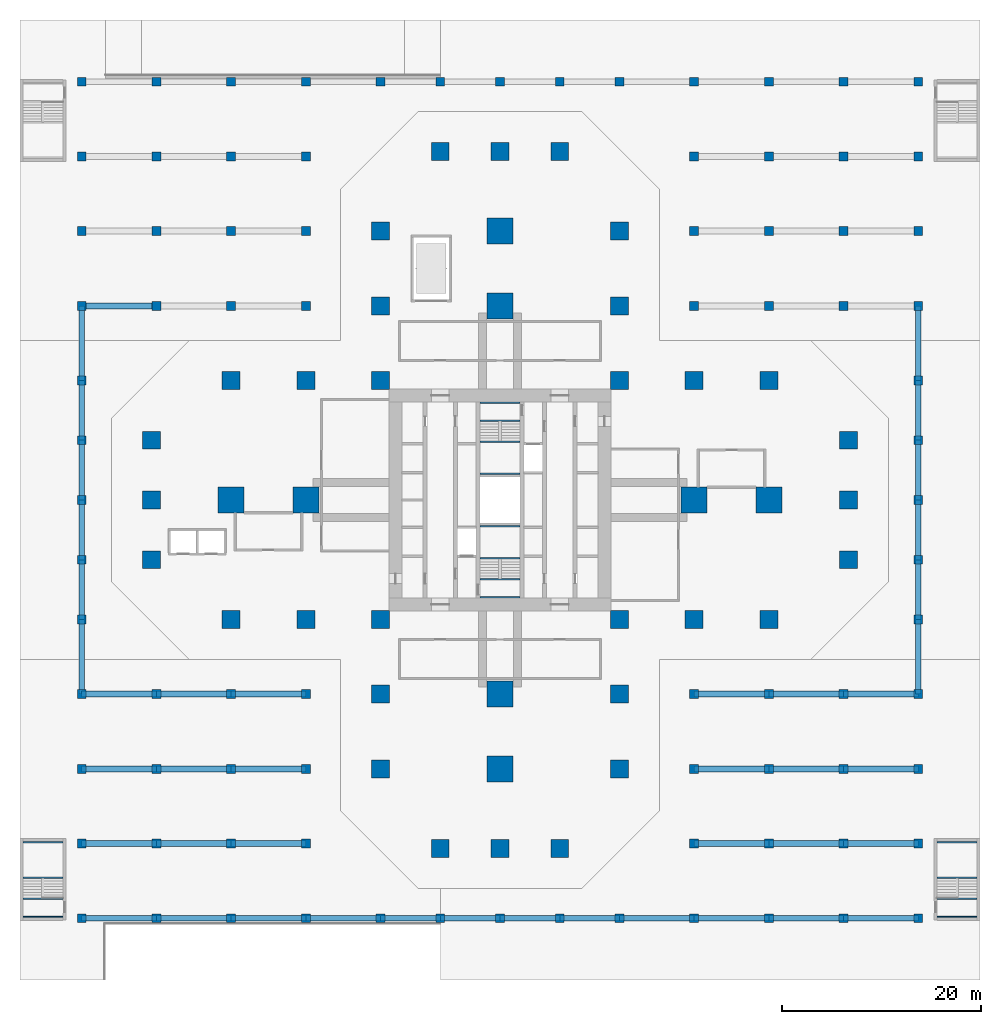
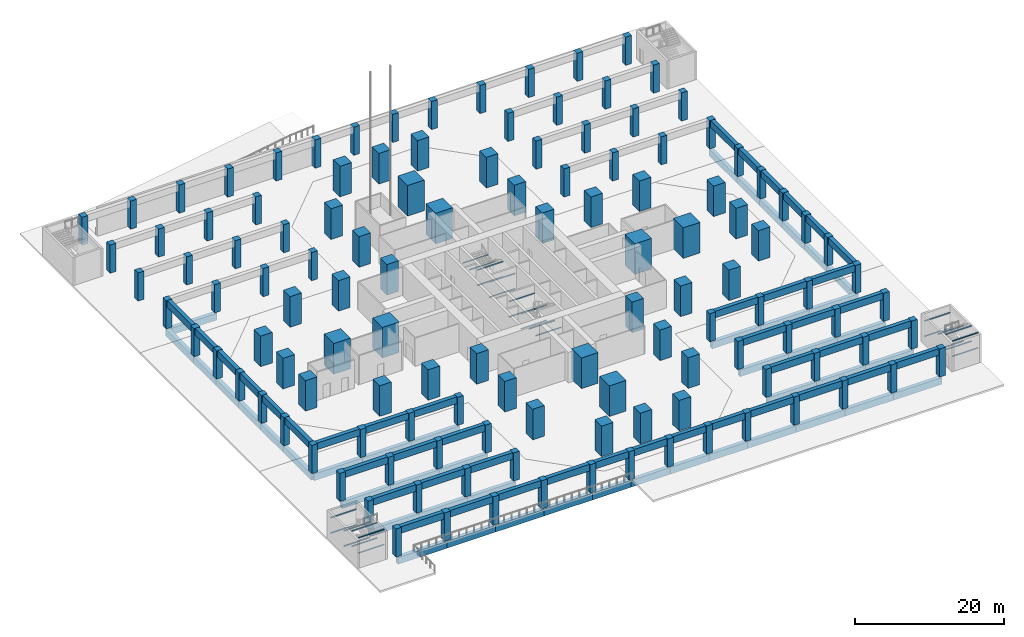
# One storey, part 1 of 20: 124 columns, 113 beams.
"""IFC4 building model written with IfcOpenShell, lengths in metres."""

from ifc_helpers import new_model, si_unit, direction, frame, origin, origin_2d, place, context, subcontext, project, spatial, rectangle, hollow_rectangle, extrude, material, material_profile, profile_set, type_object, element, save


model = new_model("IFC4")

# Units and contexts
model_context = context("Model", 3, precision=1e-05, world=origin(), true_north=direction((0.0, 1.0)))
body_context = subcontext(model_context, "Body", "Model", "MODEL_VIEW")
ifc_project = project(units=[si_unit("LENGTHUNIT", "METRE"), si_unit("AREAUNIT", "SQUARE_METRE"), si_unit("VOLUMEUNIT", "CUBIC_METRE"), si_unit("PLANEANGLEUNIT", "RADIAN"), si_unit("MASSUNIT", "GRAM", prefix="KILO")], contexts=[model_context])

# Site, building, storey
site_placement = place(None, origin())
site = spatial("IfcSite", under=ifc_project, at=site_placement, CompositionType="ELEMENT")
building_placement = place(site_placement, origin())
building = spatial("IfcBuilding", under=site, at=building_placement, Name="Mizan Broadcast Tower", CompositionType="ELEMENT")
storey_placement = place(building_placement, frame((0.0, 0.0, -5.0)))
storey = spatial("IfcBuildingStorey", under=building, at=storey_placement, Name="B1", CompositionType="ELEMENT", Elevation=-5.0)

# Columns
ifc_material_1 = material(Name="Concrete C70/85", Category="concrete")
ifc_material_profile_1 = material_profile(ifc_material_1, rectangle(XDim=1.800048828125, YDim=1.800048828125, at=origin_2d()), Name="RC 1800x1800")
ifc_profile_set_1 = profile_set([ifc_material_profile_1], Name="Concrete C70/85")
column_type_1 = type_object("IfcColumnType", Name="RC COLUMN 1800x1800 C70/85", PredefinedType="COLUMN", material=ifc_profile_set_1)
for number, where, z_axis, x_axis, name in (
    (1, (-6.0, -35.0, 0.0), (0.0, 0.0, 1.0), (1.0, 0.0, 0.0), "Column 5/A B1"),
    (2, (0.0, -35.0, 0.0), (0.0, 0.0, 1.0), (1.0, 0.0, 0.0), "Column 6/A B1"),
    (3, (6.0, -35.0, 0.0), (0.0, 0.0, 1.0), (1.0, 0.0, 0.0), "Column 7/A B1"),
    (4, (-12.0, -27.0, 0.0), (0.0, 0.0, 1.0), (1.0, 0.0, 0.0), "Column 4/B B1"),
    (5, (12.0, -27.0, 0.0), (0.0, 0.0, 1.0), (1.0, 0.0, 0.0), "Column 8/B B1"),
    (6, (-12.0, -19.5, 0.0), (0.0, 0.0, 1.0), (1.0, 0.0, 0.0), "Column 4/C B1"),
    (7, (12.0, -19.5, 0.0), (0.0, 0.0, 1.0), (1.0, 0.0, 0.0), "Column 8/C B1"),
    (8, (-27.0, -12.0, 0.0), (0.0, 0.0, 1.0), (1.0, 0.0, 0.0), "Column 2/D B1"),
    (9, (-19.5, -12.0, 0.0), (0.0, 0.0, 1.0), (1.0, 0.0, 0.0), "Column 3/D B1"),
    (10, (-12.0, -12.0, 0.0), (0.0, 0.0, 1.0), (1.0, 0.0, 0.0), "Column 4/D B1"),
    (11, (12.0, -12.0, 0.0), (0.0, 0.0, 1.0), (1.0, 0.0, 0.0), "Column 8/D B1"),
    (12, (19.5, -12.0, 0.0), (0.0, 0.0, 1.0), (1.0, 0.0, 0.0), "Column 9/D B1"),
    (13, (27.0, -12.0, 0.0), (0.0, 0.0, 1.0), (1.0, 0.0, 0.0), "Column 10/D B1"),
    (14, (-35.0, -6.0, 0.0), (0.0, 0.0, 1.0), (1.0, 0.0, 0.0), "Column 1/E B1"),
    (15, (35.0, -6.0, 0.0), (0.0, 0.0, 1.0), (1.0, 0.0, 0.0), "Column 11/E B1"),
    (16, (-35.0, 0.0, 0.0), (0.0, 0.0, 1.0), (1.0, 0.0, 0.0), "Column 1/F B1"),
    (17, (35.0, 0.0, 0.0), (0.0, 0.0, 1.0), (1.0, 0.0, 0.0), "Column 11/F B1"),
    (18, (-35.0, 6.0, 0.0), (0.0, 0.0, 1.0), (1.0, 0.0, 0.0), "Column 1/G B1"),
    (19, (35.0, 6.0, 0.0), (0.0, 0.0, 1.0), (1.0, 0.0, 0.0), "Column 11/G B1"),
    (20, (-27.0, 12.0, 0.0), (0.0, 0.0, 1.0), (1.0, 0.0, 0.0), "Column 2/H B1"),
    (21, (-19.5, 12.0, 0.0), (0.0, 0.0, 1.0), (1.0, 0.0, 0.0), "Column 3/H B1"),
    (22, (-12.0, 12.0, 0.0), (0.0, 0.0, 1.0), (1.0, 0.0, 0.0), "Column 4/H B1"),
    (23, (12.0, 12.0, 0.0), (0.0, 0.0, 1.0), (1.0, 0.0, 0.0), "Column 8/H B1"),
    (24, (19.5, 12.0, 0.0), (0.0, 0.0, 1.0), (1.0, 0.0, 0.0), "Column 9/H B1"),
    (25, (27.0, 12.0, 0.0), (0.0, 0.0, 1.0), (1.0, 0.0, 0.0), "Column 10/H B1"),
    (26, (-12.0, 19.5, 0.0), (0.0, 0.0, 1.0), (1.0, 0.0, 0.0), "Column 4/J B1"),
    (27, (12.0, 19.5, 0.0), (0.0, 0.0, 1.0), (1.0, 0.0, 0.0), "Column 8/J B1"),
    (28, (-12.0, 27.0, 0.0), (0.0, 0.0, 1.0), (1.0, 0.0, 0.0), "Column 4/K B1"),
    (29, (12.0, 27.0, 0.0), (0.0, 0.0, 1.0), (1.0, 0.0, 0.0), "Column 8/K B1"),
    (30, (-6.0, 35.0, 0.0), (0.0, 0.0, 1.0), (1.0, 0.0, 0.0), "Column 5/L B1"),
    (31, (0.0, 35.0, 0.0), (0.0, 0.0, 1.0), (1.0, 0.0, 0.0), "Column 6/L B1"),
    (32, (6.0, 35.0, 0.0), (0.0, 0.0, 1.0), (1.0, 0.0, 0.0), "Column 7/L B1"),
):
    element("IfcColumn", number, at=place(storey_placement, frame(where, z_axis=z_axis, x_axis=x_axis)), inside=storey, type_object=column_type_1, Name=name, PredefinedType="COLUMN", context=body_context, shape_type="SweptSolid", body=[
        extrude(rectangle(XDim=1.800048828125, YDim=1.800048828125, at=origin_2d()), origin(), (0.0, 0.0, 1.0), 5.0),
    ])
ifc_material_2 = material(Name="Concrete C70/85", Category="concrete")
ifc_material_profile_2 = material_profile(ifc_material_2, rectangle(XDim=2.60009765625, YDim=2.60009765625, at=origin_2d()), Name="RC 2600x2600")
ifc_profile_set_2 = profile_set([ifc_material_profile_2], Name="Concrete C70/85")
column_type_2 = type_object("IfcColumnType", Name="RC COLUMN 2600x2600 C70/85", PredefinedType="COLUMN", material=ifc_profile_set_2)
for number, where, z_axis, x_axis, name in (
    (33, (0.0, -27.0, 0.0), (0.0, 0.0, 1.0), (1.0, 0.0, 0.0), "Column 6/B B1"),
    (34, (0.0, -19.5, 0.0), (0.0, 0.0, 1.0), (1.0, 0.0, 0.0), "Column 6/C B1"),
    (35, (-27.0, 0.0, 0.0), (0.0, 0.0, 1.0), (1.0, 0.0, 0.0), "Column 2/F B1"),
    (36, (-19.5, 0.0, 0.0), (0.0, 0.0, 1.0), (1.0, 0.0, 0.0), "Column 3/F B1"),
    (37, (19.5, 0.0, 0.0), (0.0, 0.0, 1.0), (1.0, 0.0, 0.0), "Column 9/F B1"),
    (38, (27.0, 0.0, 0.0), (0.0, 0.0, 1.0), (1.0, 0.0, 0.0), "Column 10/F B1"),
    (39, (0.0, 19.5, 0.0), (0.0, 0.0, 1.0), (1.0, 0.0, 0.0), "Column 6/J B1"),
    (40, (0.0, 27.0, 0.0), (0.0, 0.0, 1.0), (1.0, 0.0, 0.0), "Column 6/K B1"),
):
    element("IfcColumn", number, at=place(storey_placement, frame(where, z_axis=z_axis, x_axis=x_axis)), inside=storey, type_object=column_type_2, Name=name, PredefinedType="COLUMN", context=body_context, shape_type="SweptSolid", body=[
        extrude(rectangle(XDim=2.60009765625, YDim=2.60009765625, at=origin_2d()), origin(), (0.0, 0.0, 1.0), 5.0),
    ])
ifc_material_3 = material(Name="Concrete C70/85", Category="concrete")
ifc_material_profile_3 = material_profile(ifc_material_3, rectangle(XDim=0.89990234375, YDim=0.89990234375, at=origin_2d()), Name="RC 900x900")
ifc_profile_set_3 = profile_set([ifc_material_profile_3], Name="Concrete C70/85")
column_type_3 = type_object("IfcColumnType", Name="RC COLUMN 900x900 C70/85", PredefinedType="COLUMN", material=ifc_profile_set_3)
for number, where, z_axis, x_axis, name in (
    (41, (-42.0, -42.0, 0.0), (0.0, 0.0, 1.0), (1.0, 0.0, 0.0), "Basement column at -42, -42"),
    (42, (-34.5, -42.0, 0.0), (0.0, 0.0, 1.0), (1.0, 0.0, 0.0), "Basement column at -34.5, -42"),
    (43, (-27.0, -42.0, 0.0), (0.0, 0.0, 1.0), (1.0, 0.0, 0.0), "Basement column at -27, -42"),
    (44, (-19.5, -42.0, 0.0), (0.0, 0.0, 1.0), (1.0, 0.0, 0.0), "Basement column at -19.5, -42"),
    (45, (-12.0, -42.0, 0.0), (0.0, 0.0, 1.0), (1.0, 0.0, 0.0), "Basement column at -12, -42"),
    (46, (-6.0, -42.0, 0.0), (0.0, 0.0, 1.0), (1.0, 0.0, 0.0), "Basement column at -6, -42"),
    (47, (0.0, -42.0, 0.0), (0.0, 0.0, 1.0), (1.0, 0.0, 0.0), "Basement column at 0, -42"),
    (48, (6.0, -42.0, 0.0), (0.0, 0.0, 1.0), (1.0, 0.0, 0.0), "Basement column at 6, -42"),
    (49, (12.0, -42.0, 0.0), (0.0, 0.0, 1.0), (1.0, 0.0, 0.0), "Basement column at 12, -42"),
    (50, (19.5, -42.0, 0.0), (0.0, 0.0, 1.0), (1.0, 0.0, 0.0), "Basement column at 19.5, -42"),
    (51, (27.0, -42.0, 0.0), (0.0, 0.0, 1.0), (1.0, 0.0, 0.0), "Basement column at 27, -42"),
    (52, (34.5, -42.0, 0.0), (0.0, 0.0, 1.0), (1.0, 0.0, 0.0), "Basement column at 34.5, -42"),
    (53, (42.0, -42.0, 0.0), (0.0, 0.0, 1.0), (1.0, 0.0, 0.0), "Basement column at 42, -42"),
    (54, (-42.0, -34.5, 0.0), (0.0, 0.0, 1.0), (1.0, 0.0, 0.0), "Basement column at -42, -34.5"),
    (55, (-34.5, -34.5, 0.0), (0.0, 0.0, 1.0), (1.0, 0.0, 0.0), "Basement column at -34.5, -34.5"),
    (56, (-27.0, -34.5, 0.0), (0.0, 0.0, 1.0), (1.0, 0.0, 0.0), "Basement column at -27, -34.5"),
    (57, (-19.5, -34.5, 0.0), (0.0, 0.0, 1.0), (1.0, 0.0, 0.0), "Basement column at -19.5, -34.5"),
    (58, (19.5, -34.5, 0.0), (0.0, 0.0, 1.0), (1.0, 0.0, 0.0), "Basement column at 19.5, -34.5"),
    (59, (27.0, -34.5, 0.0), (0.0, 0.0, 1.0), (1.0, 0.0, 0.0), "Basement column at 27, -34.5"),
    (60, (34.5, -34.5, 0.0), (0.0, 0.0, 1.0), (1.0, 0.0, 0.0), "Basement column at 34.5, -34.5"),
    (61, (42.0, -34.5, 0.0), (0.0, 0.0, 1.0), (1.0, 0.0, 0.0), "Basement column at 42, -34.5"),
    (62, (-42.0, -27.0, 0.0), (0.0, 0.0, 1.0), (1.0, 0.0, 0.0), "Basement column at -42, -27"),
    (63, (-34.5, -27.0, 0.0), (0.0, 0.0, 1.0), (1.0, 0.0, 0.0), "Basement column at -34.5, -27"),
    (64, (-27.0, -27.0, 0.0), (0.0, 0.0, 1.0), (1.0, 0.0, 0.0), "Basement column at -27, -27"),
    (65, (-19.5, -27.0, 0.0), (0.0, 0.0, 1.0), (1.0, 0.0, 0.0), "Basement column at -19.5, -27"),
    (66, (19.5, -27.0, 0.0), (0.0, 0.0, 1.0), (1.0, 0.0, 0.0), "Basement column at 19.5, -27"),
    (67, (27.0, -27.0, 0.0), (0.0, 0.0, 1.0), (1.0, 0.0, 0.0), "Basement column at 27, -27"),
    (68, (34.5, -27.0, 0.0), (0.0, 0.0, 1.0), (1.0, 0.0, 0.0), "Basement column at 34.5, -27"),
    (69, (42.0, -27.0, 0.0), (0.0, 0.0, 1.0), (1.0, 0.0, 0.0), "Basement column at 42, -27"),
    (70, (-42.0, -19.5, 0.0), (0.0, 0.0, 1.0), (1.0, 0.0, 0.0), "Basement column at -42, -19.5"),
    (71, (-34.5, -19.5, 0.0), (0.0, 0.0, 1.0), (1.0, 0.0, 0.0), "Basement column at -34.5, -19.5"),
    (72, (-27.0, -19.5, 0.0), (0.0, 0.0, 1.0), (1.0, 0.0, 0.0), "Basement column at -27, -19.5"),
    (73, (-19.5, -19.5, 0.0), (0.0, 0.0, 1.0), (1.0, 0.0, 0.0), "Basement column at -19.5, -19.5"),
    (74, (19.5, -19.5, 0.0), (0.0, 0.0, 1.0), (1.0, 0.0, 0.0), "Basement column at 19.5, -19.5"),
    (75, (27.0, -19.5, 0.0), (0.0, 0.0, 1.0), (1.0, 0.0, 0.0), "Basement column at 27, -19.5"),
    (76, (34.5, -19.5, 0.0), (0.0, 0.0, 1.0), (1.0, 0.0, 0.0), "Basement column at 34.5, -19.5"),
    (77, (42.0, -19.5, 0.0), (0.0, 0.0, 1.0), (1.0, 0.0, 0.0), "Basement column at 42, -19.5"),
    (78, (-42.0, -12.0, 0.0), (0.0, 0.0, 1.0), (1.0, 0.0, 0.0), "Basement column at -42, -12"),
    (79, (42.0, -12.0, 0.0), (0.0, 0.0, 1.0), (1.0, 0.0, 0.0), "Basement column at 42, -12"),
    (80, (-42.0, -6.0, 0.0), (0.0, 0.0, 1.0), (1.0, 0.0, 0.0), "Basement column at -42, -6"),
    (81, (42.0, -6.0, 0.0), (0.0, 0.0, 1.0), (1.0, 0.0, 0.0), "Basement column at 42, -6"),
    (82, (-42.0, 0.0, 0.0), (0.0, 0.0, 1.0), (1.0, 0.0, 0.0), "Basement column at -42, 0"),
    (83, (42.0, 0.0, 0.0), (0.0, 0.0, 1.0), (1.0, 0.0, 0.0), "Basement column at 42, 0"),
    (84, (-42.0, 6.0, 0.0), (0.0, 0.0, 1.0), (1.0, 0.0, 0.0), "Basement column at -42, 6"),
    (85, (42.0, 6.0, 0.0), (0.0, 0.0, 1.0), (1.0, 0.0, 0.0), "Basement column at 42, 6"),
    (86, (-42.0, 12.0, 0.0), (0.0, 0.0, 1.0), (1.0, 0.0, 0.0), "Basement column at -42, 12"),
    (87, (42.0, 12.0, 0.0), (0.0, 0.0, 1.0), (1.0, 0.0, 0.0), "Basement column at 42, 12"),
    (88, (-42.0, 19.5, 0.0), (0.0, 0.0, 1.0), (1.0, 0.0, 0.0), "Basement column at -42, 19.5"),
    (89, (-34.5, 19.5, 0.0), (0.0, 0.0, 1.0), (1.0, 0.0, 0.0), "Basement column at -34.5, 19.5"),
    (90, (-27.0, 19.5, 0.0), (0.0, 0.0, 1.0), (1.0, 0.0, 0.0), "Basement column at -27, 19.5"),
    (91, (-19.5, 19.5, 0.0), (0.0, 0.0, 1.0), (1.0, 0.0, 0.0), "Basement column at -19.5, 19.5"),
    (92, (19.5, 19.5, 0.0), (0.0, 0.0, 1.0), (1.0, 0.0, 0.0), "Basement column at 19.5, 19.5"),
    (93, (27.0, 19.5, 0.0), (0.0, 0.0, 1.0), (1.0, 0.0, 0.0), "Basement column at 27, 19.5"),
    (94, (34.5, 19.5, 0.0), (0.0, 0.0, 1.0), (1.0, 0.0, 0.0), "Basement column at 34.5, 19.5"),
    (95, (42.0, 19.5, 0.0), (0.0, 0.0, 1.0), (1.0, 0.0, 0.0), "Basement column at 42, 19.5"),
    (96, (-42.0, 27.0, 0.0), (0.0, 0.0, 1.0), (1.0, 0.0, 0.0), "Basement column at -42, 27"),
    (97, (-34.5, 27.0, 0.0), (0.0, 0.0, 1.0), (1.0, 0.0, 0.0), "Basement column at -34.5, 27"),
    (98, (-27.0, 27.0, 0.0), (0.0, 0.0, 1.0), (1.0, 0.0, 0.0), "Basement column at -27, 27"),
    (99, (-19.5, 27.0, 0.0), (0.0, 0.0, 1.0), (1.0, 0.0, 0.0), "Basement column at -19.5, 27"),
    (100, (19.5, 27.0, 0.0), (0.0, 0.0, 1.0), (1.0, 0.0, 0.0), "Basement column at 19.5, 27"),
    (101, (27.0, 27.0, 0.0), (0.0, 0.0, 1.0), (1.0, 0.0, 0.0), "Basement column at 27, 27"),
    (102, (34.5, 27.0, 0.0), (0.0, 0.0, 1.0), (1.0, 0.0, 0.0), "Basement column at 34.5, 27"),
    (103, (42.0, 27.0, 0.0), (0.0, 0.0, 1.0), (1.0, 0.0, 0.0), "Basement column at 42, 27"),
    (104, (-42.0, 34.5, 0.0), (0.0, 0.0, 1.0), (1.0, 0.0, 0.0), "Basement column at -42, 34.5"),
    (105, (-34.5, 34.5, 0.0), (0.0, 0.0, 1.0), (1.0, 0.0, 0.0), "Basement column at -34.5, 34.5"),
    (106, (-27.0, 34.5, 0.0), (0.0, 0.0, 1.0), (1.0, 0.0, 0.0), "Basement column at -27, 34.5"),
    (107, (-19.5, 34.5, 0.0), (0.0, 0.0, 1.0), (1.0, 0.0, 0.0), "Basement column at -19.5, 34.5"),
    (108, (19.5, 34.5, 0.0), (0.0, 0.0, 1.0), (1.0, 0.0, 0.0), "Basement column at 19.5, 34.5"),
    (109, (27.0, 34.5, 0.0), (0.0, 0.0, 1.0), (1.0, 0.0, 0.0), "Basement column at 27, 34.5"),
    (110, (34.5, 34.5, 0.0), (0.0, 0.0, 1.0), (1.0, 0.0, 0.0), "Basement column at 34.5, 34.5"),
    (111, (42.0, 34.5, 0.0), (0.0, 0.0, 1.0), (1.0, 0.0, 0.0), "Basement column at 42, 34.5"),
    (112, (-42.0, 42.0, 0.0), (0.0, 0.0, 1.0), (1.0, 0.0, 0.0), "Basement column at -42, 42"),
    (113, (-34.5, 42.0, 0.0), (0.0, 0.0, 1.0), (1.0, 0.0, 0.0), "Basement column at -34.5, 42"),
    (114, (-27.0, 42.0, 0.0), (0.0, 0.0, 1.0), (1.0, 0.0, 0.0), "Basement column at -27, 42"),
    (115, (-19.5, 42.0, 0.0), (0.0, 0.0, 1.0), (1.0, 0.0, 0.0), "Basement column at -19.5, 42"),
    (116, (-12.0, 42.0, 0.0), (0.0, 0.0, 1.0), (1.0, 0.0, 0.0), "Basement column at -12, 42"),
    (117, (-6.0, 42.0, 0.0), (0.0, 0.0, 1.0), (1.0, 0.0, 0.0), "Basement column at -6, 42"),
    (118, (0.0, 42.0, 0.0), (0.0, 0.0, 1.0), (1.0, 0.0, 0.0), "Basement column at 0, 42"),
    (119, (6.0, 42.0, 0.0), (0.0, 0.0, 1.0), (1.0, 0.0, 0.0), "Basement column at 6, 42"),
    (120, (12.0, 42.0, 0.0), (0.0, 0.0, 1.0), (1.0, 0.0, 0.0), "Basement column at 12, 42"),
    (121, (19.5, 42.0, 0.0), (0.0, 0.0, 1.0), (1.0, 0.0, 0.0), "Basement column at 19.5, 42"),
    (122, (27.0, 42.0, 0.0), (0.0, 0.0, 1.0), (1.0, 0.0, 0.0), "Basement column at 27, 42"),
    (123, (34.5, 42.0, 0.0), (0.0, 0.0, 1.0), (1.0, 0.0, 0.0), "Basement column at 34.5, 42"),
    (124, (42.0, 42.0, 0.0), (0.0, 0.0, 1.0), (1.0, 0.0, 0.0), "Basement column at 42, 42"),
):
    element("IfcColumn", number, at=place(storey_placement, frame(where, z_axis=z_axis, x_axis=x_axis)), inside=storey, type_object=column_type_3, Name=name, PredefinedType="COLUMN", context=body_context, shape_type="SweptSolid", body=[
        extrude(rectangle(XDim=0.89990234375, YDim=0.89990234375, at=origin_2d()), origin(), (0.0, 0.0, 1.0), 4.60009765625),
    ])

# Beams
ifc_material_4 = material(Name="Steel S355", Category="steel")
ifc_material_profile_4 = material_profile(ifc_material_4, hollow_rectangle(XDim=0.14990234375, YDim=0.14990234375, WallThickness=0.008056640625, InnerFilletRadius=0.008056640625, OuterFilletRadius=0.011962890625, at=origin_2d()), Name="SHS 150x150x8")
ifc_profile_set_4 = profile_set([ifc_material_profile_4], Name="Steel S355")
beam_type_1 = type_object("IfcBeamType", Name="LANDING TRIMMER SHS 150x150x8", PredefinedType="BEAM", material=ifc_profile_set_4)
for number, where, z_axis, x_axis, name in (
    (125, (-2.0, -5.864990234375, 0.97509765625), (1.0, 0.0, 0.0), (0.0, 1.0, 0.0), "Stair A landing trimmer B1"),
    (126, (-2.0, -2.64990234375, 0.97509765625), (1.0, 0.0, 0.0), (0.0, 1.0, 0.0), "Stair A landing trimmer B1"),
    (127, (-2.0, -9.77490234375, 2.22509765625), (1.0, 0.0, 0.0), (0.0, 1.0, 0.0), "Stair A landing trimmer B1"),
    (128, (-2.0, -7.97509765625, 2.22509765625), (1.0, 0.0, 0.0), (0.0, 1.0, 0.0), "Stair A landing trimmer B1"),
    (129, (-2.0, -5.864990234375, 3.47509765625), (1.0, 0.0, 0.0), (0.0, 1.0, 0.0), "Stair A landing trimmer B1"),
    (130, (-2.0, -2.64990234375, 3.47509765625), (1.0, 0.0, 0.0), (0.0, 1.0, 0.0), "Stair A landing trimmer B1"),
    (131, (2.0, 5.864990234375, 0.97509765625), (-1.0, 0.0, 0.0), (0.0, -1.0, 0.0), "Stair B landing trimmer B1"),
    (132, (2.0, 2.64990234375, 0.97509765625), (-1.0, 0.0, 0.0), (0.0, -1.0, 0.0), "Stair B landing trimmer B1"),
    (133, (2.0, 9.77490234375, 2.22509765625), (-1.0, 0.0, 0.0), (0.0, -1.0, 0.0), "Stair B landing trimmer B1"),
    (134, (2.0, 7.97509765625, 2.22509765625), (-1.0, 0.0, 0.0), (0.0, -1.0, 0.0), "Stair B landing trimmer B1"),
    (135, (2.0, 5.864990234375, 3.47509765625), (-1.0, 0.0, 0.0), (0.0, -1.0, 0.0), "Stair B landing trimmer B1"),
    (136, (2.0, 2.64990234375, 3.47509765625), (-1.0, 0.0, 0.0), (0.0, -1.0, 0.0), "Stair B landing trimmer B1"),
    (137, (-43.89990234375, -37.9150390625, 0.97509765625), (-1.0, 0.0, 0.0), (0.0, -1.0, 0.0), "Stair G landing trimmer B1"),
    (138, (-43.89990234375, -34.375, 0.97509765625), (-1.0, 0.0, 0.0), (0.0, -1.0, 0.0), "Stair G landing trimmer B1"),
    (139, (-43.89990234375, -41.824951171875, 2.22509765625), (-1.0, 0.0, 0.0), (0.0, -1.0, 0.0), "Stair G landing trimmer B1"),
    (140, (-43.89990234375, -40.02490234375, 2.22509765625), (-1.0, 0.0, 0.0), (0.0, -1.0, 0.0), "Stair G landing trimmer B1"),
    (141, (-43.89990234375, -37.9150390625, 3.47509765625), (-1.0, 0.0, 0.0), (0.0, -1.0, 0.0), "Stair G landing trimmer B1"),
    (142, (-43.89990234375, -34.375, 3.47509765625), (-1.0, 0.0, 0.0), (0.0, -1.0, 0.0), "Stair G landing trimmer B1"),
    (143, (-43.89990234375, -41.824951171875, 4.72509765625), (-1.0, 0.0, 0.0), (0.0, -1.0, 0.0), "Stair G landing trimmer B1"),
    (144, (-43.89990234375, -40.02490234375, 4.72509765625), (-1.0, 0.0, 0.0), (0.0, -1.0, 0.0), "Stair G landing trimmer B1"),
    (145, (43.89990234375, -37.9150390625, 0.97509765625), (1.0, 0.0, 0.0), (0.0, 1.0, 0.0), "Stair H landing trimmer B1"),
    (146, (43.89990234375, -34.375, 0.97509765625), (1.0, 0.0, 0.0), (0.0, 1.0, 0.0), "Stair H landing trimmer B1"),
    (147, (43.89990234375, -41.824951171875, 2.22509765625), (1.0, 0.0, 0.0), (0.0, 1.0, 0.0), "Stair H landing trimmer B1"),
    (148, (43.89990234375, -40.02490234375, 2.22509765625), (1.0, 0.0, 0.0), (0.0, 1.0, 0.0), "Stair H landing trimmer B1"),
    (149, (43.89990234375, -37.9150390625, 3.47509765625), (1.0, 0.0, 0.0), (0.0, 1.0, 0.0), "Stair H landing trimmer B1"),
    (150, (43.89990234375, -34.375, 3.47509765625), (1.0, 0.0, 0.0), (0.0, 1.0, 0.0), "Stair H landing trimmer B1"),
    (151, (43.89990234375, -41.824951171875, 4.72509765625), (1.0, 0.0, 0.0), (0.0, 1.0, 0.0), "Stair H landing trimmer B1"),
    (152, (43.89990234375, -40.02490234375, 4.72509765625), (1.0, 0.0, 0.0), (0.0, 1.0, 0.0), "Stair H landing trimmer B1"),
):
    element("IfcBeam", number, at=place(storey_placement, frame(where, z_axis=z_axis, x_axis=x_axis)), inside=storey, type_object=beam_type_1, Name=name, PredefinedType="BEAM", context=body_context, shape_type="SweptSolid", body=[
        extrude(hollow_rectangle(XDim=0.14990234375, YDim=0.14990234375, WallThickness=0.008056640625, InnerFilletRadius=0.008056640625, OuterFilletRadius=0.011962890625, at=origin_2d()), origin(), (0.0, 0.0, 1.0), 4.0),
    ])
ifc_material_5 = material(Name="Concrete C70/85", Category="concrete")
ifc_material_profile_5 = material_profile(ifc_material_5, rectangle(XDim=0.60009765625, YDim=1.10009765625, at=origin_2d()), Name="RC 600x1100")
ifc_profile_set_5 = profile_set([ifc_material_profile_5], Name="Concrete C70/85")
beam_type_2 = type_object("IfcBeamType", Name="RC BEAM 600x1100", PredefinedType="BEAM", material=ifc_profile_set_5)
for number, where, z_axis, x_axis, name in (
    (153, (-42.0, -42.0, -0.85009765625), (1.0, 0.0, 0.0), (0.0, 1.0, 0.0), "RC beam under the B1 slab"),
    (154, (-34.5, -42.0, -0.85009765625), (1.0, 0.0, 0.0), (0.0, 1.0, 0.0), "RC beam under the B1 slab"),
    (155, (-27.0, -42.0, -0.85009765625), (1.0, 0.0, 0.0), (0.0, 1.0, 0.0), "RC beam under the B1 slab"),
    (156, (-19.5, -42.0, -0.85009765625), (1.0, 0.0, 0.0), (0.0, 1.0, 0.0), "RC beam under the B1 slab"),
):
    element("IfcBeam", number, at=place(storey_placement, frame(where, z_axis=z_axis, x_axis=x_axis)), inside=storey, type_object=beam_type_2, Name=name, PredefinedType="BEAM", context=body_context, shape_type="SweptSolid", body=[
        extrude(rectangle(XDim=0.60009765625, YDim=1.10009765625, at=origin_2d()), origin(), (0.0, 0.0, 1.0), 7.5),
    ])
for number, where, z_axis, x_axis, name in (
    (157, (-12.0, -42.0, -0.85009765625), (1.0, 0.0, 0.0), (0.0, 1.0, 0.0), "RC beam under the B1 slab"),
    (158, (-6.0, -42.0, -0.85009765625), (1.0, 0.0, 0.0), (0.0, 1.0, 0.0), "RC beam under the B1 slab"),
    (159, (0.0, -42.0, -0.85009765625), (1.0, 0.0, 0.0), (0.0, 1.0, 0.0), "RC beam under the B1 slab"),
    (160, (6.0, -42.0, -0.85009765625), (1.0, 0.0, 0.0), (0.0, 1.0, 0.0), "RC beam under the B1 slab"),
):
    element("IfcBeam", number, at=place(storey_placement, frame(where, z_axis=z_axis, x_axis=x_axis)), inside=storey, type_object=beam_type_2, Name=name, PredefinedType="BEAM", context=body_context, shape_type="SweptSolid", body=[
        extrude(rectangle(XDim=0.60009765625, YDim=1.10009765625, at=origin_2d()), origin(), (0.0, 0.0, 1.0), 6.0),
    ])
for number, where, z_axis, x_axis, name in (
    (161, (12.0, -42.0, -0.85009765625), (1.0, 0.0, 0.0), (0.0, 1.0, 0.0), "RC beam under the B1 slab"),
    (162, (19.5, -42.0, -0.85009765625), (1.0, 0.0, 0.0), (0.0, 1.0, 0.0), "RC beam under the B1 slab"),
    (163, (27.0, -42.0, -0.85009765625), (1.0, 0.0, 0.0), (0.0, 1.0, 0.0), "RC beam under the B1 slab"),
    (164, (34.5, -42.0, -0.85009765625), (1.0, 0.0, 0.0), (0.0, 1.0, 0.0), "RC beam under the B1 slab"),
    (165, (-42.0, -34.5, -0.85009765625), (1.0, 0.0, 0.0), (0.0, 1.0, 0.0), "RC beam under the B1 slab"),
    (166, (-34.5, -34.5, -0.85009765625), (1.0, 0.0, 0.0), (0.0, 1.0, 0.0), "RC beam under the B1 slab"),
    (167, (-27.0, -34.5, -0.85009765625), (1.0, 0.0, 0.0), (0.0, 1.0, 0.0), "RC beam under the B1 slab"),
    (168, (19.5, -34.5, -0.85009765625), (1.0, 0.0, 0.0), (0.0, 1.0, 0.0), "RC beam under the B1 slab"),
    (169, (27.0, -34.5, -0.85009765625), (1.0, 0.0, 0.0), (0.0, 1.0, 0.0), "RC beam under the B1 slab"),
    (170, (34.5, -34.5, -0.85009765625), (1.0, 0.0, 0.0), (0.0, 1.0, 0.0), "RC beam under the B1 slab"),
    (171, (-42.0, -27.0, -0.85009765625), (1.0, 0.0, 0.0), (0.0, 1.0, 0.0), "RC beam under the B1 slab"),
    (172, (-34.5, -27.0, -0.85009765625), (1.0, 0.0, 0.0), (0.0, 1.0, 0.0), "RC beam under the B1 slab"),
    (173, (-27.0, -27.0, -0.85009765625), (1.0, 0.0, 0.0), (0.0, 1.0, 0.0), "RC beam under the B1 slab"),
    (174, (19.5, -27.0, -0.85009765625), (1.0, 0.0, 0.0), (0.0, 1.0, 0.0), "RC beam under the B1 slab"),
    (175, (27.0, -27.0, -0.85009765625), (1.0, 0.0, 0.0), (0.0, 1.0, 0.0), "RC beam under the B1 slab"),
    (176, (34.5, -27.0, -0.85009765625), (1.0, 0.0, 0.0), (0.0, 1.0, 0.0), "RC beam under the B1 slab"),
    (177, (-42.0, -19.5, -0.85009765625), (1.0, 0.0, 0.0), (0.0, 1.0, 0.0), "RC beam under the B1 slab"),
    (178, (-34.5, -19.5, -0.85009765625), (1.0, 0.0, 0.0), (0.0, 1.0, 0.0), "RC beam under the B1 slab"),
    (179, (-27.0, -19.5, -0.85009765625), (1.0, 0.0, 0.0), (0.0, 1.0, 0.0), "RC beam under the B1 slab"),
    (180, (19.5, -19.5, -0.85009765625), (1.0, 0.0, 0.0), (0.0, 1.0, 0.0), "RC beam under the B1 slab"),
    (181, (27.0, -19.5, -0.85009765625), (1.0, 0.0, 0.0), (0.0, 1.0, 0.0), "RC beam under the B1 slab"),
    (182, (34.5, -19.5, -0.85009765625), (1.0, 0.0, 0.0), (0.0, 1.0, 0.0), "RC beam under the B1 slab"),
    (183, (-42.0, 19.5, -0.85009765625), (1.0, 0.0, 0.0), (0.0, 1.0, 0.0), "RC beam under the B1 slab"),
    (184, (-42.0, -19.5, -0.85009765625), (0.0, 1.0, 0.0), (-1.0, 0.0, 0.0), "RC beam under the B1 slab"),
):
    element("IfcBeam", number, at=place(storey_placement, frame(where, z_axis=z_axis, x_axis=x_axis)), inside=storey, type_object=beam_type_2, Name=name, PredefinedType="BEAM", context=body_context, shape_type="SweptSolid", body=[
        extrude(rectangle(XDim=0.60009765625, YDim=1.10009765625, at=origin_2d()), origin(), (0.0, 0.0, 1.0), 7.5),
    ])
for number, where, z_axis, x_axis, name in (
    (185, (-42.0, -12.0, -0.85009765625), (0.0, 1.0, 0.0), (-1.0, 0.0, 0.0), "RC beam under the B1 slab"),
    (186, (-42.0, -6.0, -0.85009765625), (0.0, 1.0, 0.0), (-1.0, 0.0, 0.0), "RC beam under the B1 slab"),
    (187, (-42.0, 0.0, -0.85009765625), (0.0, 1.0, 0.0), (-1.0, 0.0, 0.0), "RC beam under the B1 slab"),
    (188, (-42.0, 6.0, -0.85009765625), (0.0, 1.0, 0.0), (-1.0, 0.0, 0.0), "RC beam under the B1 slab"),
):
    element("IfcBeam", number, at=place(storey_placement, frame(where, z_axis=z_axis, x_axis=x_axis)), inside=storey, type_object=beam_type_2, Name=name, PredefinedType="BEAM", context=body_context, shape_type="SweptSolid", body=[
        extrude(rectangle(XDim=0.60009765625, YDim=1.10009765625, at=origin_2d()), origin(), (0.0, 0.0, 1.0), 6.0),
    ])
for number, where, z_axis, x_axis, name in (
    (189, (-42.0, 12.0, -0.85009765625), (0.0, 1.0, 0.0), (-1.0, 0.0, 0.0), "RC beam under the B1 slab"),
    (190, (42.0, -19.5, -0.85009765625), (0.0, 1.0, 0.0), (-1.0, 0.0, 0.0), "RC beam under the B1 slab"),
):
    element("IfcBeam", number, at=place(storey_placement, frame(where, z_axis=z_axis, x_axis=x_axis)), inside=storey, type_object=beam_type_2, Name=name, PredefinedType="BEAM", context=body_context, shape_type="SweptSolid", body=[
        extrude(rectangle(XDim=0.60009765625, YDim=1.10009765625, at=origin_2d()), origin(), (0.0, 0.0, 1.0), 7.5),
    ])
for number, where, z_axis, x_axis, name in (
    (191, (42.0, -12.0, -0.85009765625), (0.0, 1.0, 0.0), (-1.0, 0.0, 0.0), "RC beam under the B1 slab"),
    (192, (42.0, -6.0, -0.85009765625), (0.0, 1.0, 0.0), (-1.0, 0.0, 0.0), "RC beam under the B1 slab"),
    (193, (42.0, 0.0, -0.85009765625), (0.0, 1.0, 0.0), (-1.0, 0.0, 0.0), "RC beam under the B1 slab"),
    (194, (42.0, 6.0, -0.85009765625), (0.0, 1.0, 0.0), (-1.0, 0.0, 0.0), "RC beam under the B1 slab"),
):
    element("IfcBeam", number, at=place(storey_placement, frame(where, z_axis=z_axis, x_axis=x_axis)), inside=storey, type_object=beam_type_2, Name=name, PredefinedType="BEAM", context=body_context, shape_type="SweptSolid", body=[
        extrude(rectangle(XDim=0.60009765625, YDim=1.10009765625, at=origin_2d()), origin(), (0.0, 0.0, 1.0), 6.0),
    ])
for number, where, z_axis, x_axis, name in (
    (195, (42.0, 12.0, -0.85009765625), (0.0, 1.0, 0.0), (-1.0, 0.0, 0.0), "RC beam under the B1 slab"),
    (196, (-42.0, -42.0, 4.050048828125), (1.0, 0.0, 0.0), (0.0, 1.0, 0.0), "RC beam under the plaza deck"),
    (197, (-34.5, -42.0, 4.050048828125), (1.0, 0.0, 0.0), (0.0, 1.0, 0.0), "RC beam under the plaza deck"),
    (198, (-27.0, -42.0, 4.050048828125), (1.0, 0.0, 0.0), (0.0, 1.0, 0.0), "RC beam under the plaza deck"),
    (199, (-19.5, -42.0, 4.050048828125), (1.0, 0.0, 0.0), (0.0, 1.0, 0.0), "RC beam under the plaza deck"),
):
    element("IfcBeam", number, at=place(storey_placement, frame(where, z_axis=z_axis, x_axis=x_axis)), inside=storey, type_object=beam_type_2, Name=name, PredefinedType="BEAM", context=body_context, shape_type="SweptSolid", body=[
        extrude(rectangle(XDim=0.60009765625, YDim=1.10009765625, at=origin_2d()), origin(), (0.0, 0.0, 1.0), 7.5),
    ])
for number, where, z_axis, x_axis, name in (
    (200, (-12.0, -42.0, 4.050048828125), (1.0, 0.0, 0.0), (0.0, 1.0, 0.0), "RC beam under the plaza deck"),
    (201, (-6.0, -42.0, 4.050048828125), (1.0, 0.0, 0.0), (0.0, 1.0, 0.0), "RC beam under the plaza deck"),
    (202, (0.0, -42.0, 4.050048828125), (1.0, 0.0, 0.0), (0.0, 1.0, 0.0), "RC beam under the plaza deck"),
    (203, (6.0, -42.0, 4.050048828125), (1.0, 0.0, 0.0), (0.0, 1.0, 0.0), "RC beam under the plaza deck"),
):
    element("IfcBeam", number, at=place(storey_placement, frame(where, z_axis=z_axis, x_axis=x_axis)), inside=storey, type_object=beam_type_2, Name=name, PredefinedType="BEAM", context=body_context, shape_type="SweptSolid", body=[
        extrude(rectangle(XDim=0.60009765625, YDim=1.10009765625, at=origin_2d()), origin(), (0.0, 0.0, 1.0), 6.0),
    ])
for number, where, z_axis, x_axis, name in (
    (204, (12.0, -42.0, 4.050048828125), (1.0, 0.0, 0.0), (0.0, 1.0, 0.0), "RC beam under the plaza deck"),
    (205, (19.5, -42.0, 4.050048828125), (1.0, 0.0, 0.0), (0.0, 1.0, 0.0), "RC beam under the plaza deck"),
    (206, (27.0, -42.0, 4.050048828125), (1.0, 0.0, 0.0), (0.0, 1.0, 0.0), "RC beam under the plaza deck"),
    (207, (34.5, -42.0, 4.050048828125), (1.0, 0.0, 0.0), (0.0, 1.0, 0.0), "RC beam under the plaza deck"),
    (208, (-42.0, -34.5, 4.050048828125), (1.0, 0.0, 0.0), (0.0, 1.0, 0.0), "RC beam under the plaza deck"),
    (209, (-34.5, -34.5, 4.050048828125), (1.0, 0.0, 0.0), (0.0, 1.0, 0.0), "RC beam under the plaza deck"),
    (210, (-27.0, -34.5, 4.050048828125), (1.0, 0.0, 0.0), (0.0, 1.0, 0.0), "RC beam under the plaza deck"),
    (211, (19.5, -34.5, 4.050048828125), (1.0, 0.0, 0.0), (0.0, 1.0, 0.0), "RC beam under the plaza deck"),
    (212, (27.0, -34.5, 4.050048828125), (1.0, 0.0, 0.0), (0.0, 1.0, 0.0), "RC beam under the plaza deck"),
    (213, (34.5, -34.5, 4.050048828125), (1.0, 0.0, 0.0), (0.0, 1.0, 0.0), "RC beam under the plaza deck"),
    (214, (-42.0, -27.0, 4.050048828125), (1.0, 0.0, 0.0), (0.0, 1.0, 0.0), "RC beam under the plaza deck"),
    (215, (-34.5, -27.0, 4.050048828125), (1.0, 0.0, 0.0), (0.0, 1.0, 0.0), "RC beam under the plaza deck"),
    (216, (-27.0, -27.0, 4.050048828125), (1.0, 0.0, 0.0), (0.0, 1.0, 0.0), "RC beam under the plaza deck"),
    (217, (19.5, -27.0, 4.050048828125), (1.0, 0.0, 0.0), (0.0, 1.0, 0.0), "RC beam under the plaza deck"),
    (218, (27.0, -27.0, 4.050048828125), (1.0, 0.0, 0.0), (0.0, 1.0, 0.0), "RC beam under the plaza deck"),
    (219, (34.5, -27.0, 4.050048828125), (1.0, 0.0, 0.0), (0.0, 1.0, 0.0), "RC beam under the plaza deck"),
    (220, (-42.0, -19.5, 4.050048828125), (1.0, 0.0, 0.0), (0.0, 1.0, 0.0), "RC beam under the plaza deck"),
    (221, (-34.5, -19.5, 4.050048828125), (1.0, 0.0, 0.0), (0.0, 1.0, 0.0), "RC beam under the plaza deck"),
    (222, (-27.0, -19.5, 4.050048828125), (1.0, 0.0, 0.0), (0.0, 1.0, 0.0), "RC beam under the plaza deck"),
    (223, (19.5, -19.5, 4.050048828125), (1.0, 0.0, 0.0), (0.0, 1.0, 0.0), "RC beam under the plaza deck"),
    (224, (27.0, -19.5, 4.050048828125), (1.0, 0.0, 0.0), (0.0, 1.0, 0.0), "RC beam under the plaza deck"),
    (225, (34.5, -19.5, 4.050048828125), (1.0, 0.0, 0.0), (0.0, 1.0, 0.0), "RC beam under the plaza deck"),
    (226, (-42.0, -19.5, 4.050048828125), (0.0, 1.0, 0.0), (-1.0, 0.0, 0.0), "RC beam under the plaza deck"),
):
    element("IfcBeam", number, at=place(storey_placement, frame(where, z_axis=z_axis, x_axis=x_axis)), inside=storey, type_object=beam_type_2, Name=name, PredefinedType="BEAM", context=body_context, shape_type="SweptSolid", body=[
        extrude(rectangle(XDim=0.60009765625, YDim=1.10009765625, at=origin_2d()), origin(), (0.0, 0.0, 1.0), 7.5),
    ])
for number, where, z_axis, x_axis, name in (
    (227, (-42.0, -12.0, 4.050048828125), (0.0, 1.0, 0.0), (-1.0, 0.0, 0.0), "RC beam under the plaza deck"),
    (228, (-42.0, -6.0, 4.050048828125), (0.0, 1.0, 0.0), (-1.0, 0.0, 0.0), "RC beam under the plaza deck"),
    (229, (-42.0, 0.0, 4.050048828125), (0.0, 1.0, 0.0), (-1.0, 0.0, 0.0), "RC beam under the plaza deck"),
    (230, (-42.0, 6.0, 4.050048828125), (0.0, 1.0, 0.0), (-1.0, 0.0, 0.0), "RC beam under the plaza deck"),
):
    element("IfcBeam", number, at=place(storey_placement, frame(where, z_axis=z_axis, x_axis=x_axis)), inside=storey, type_object=beam_type_2, Name=name, PredefinedType="BEAM", context=body_context, shape_type="SweptSolid", body=[
        extrude(rectangle(XDim=0.60009765625, YDim=1.10009765625, at=origin_2d()), origin(), (0.0, 0.0, 1.0), 6.0),
    ])
for number, where, z_axis, x_axis, name in (
    (231, (-42.0, 12.0, 4.050048828125), (0.0, 1.0, 0.0), (-1.0, 0.0, 0.0), "RC beam under the plaza deck"),
    (232, (42.0, -19.5, 4.050048828125), (0.0, 1.0, 0.0), (-1.0, 0.0, 0.0), "RC beam under the plaza deck"),
):
    element("IfcBeam", number, at=place(storey_placement, frame(where, z_axis=z_axis, x_axis=x_axis)), inside=storey, type_object=beam_type_2, Name=name, PredefinedType="BEAM", context=body_context, shape_type="SweptSolid", body=[
        extrude(rectangle(XDim=0.60009765625, YDim=1.10009765625, at=origin_2d()), origin(), (0.0, 0.0, 1.0), 7.5),
    ])
for number, where, z_axis, x_axis, name in (
    (233, (42.0, -12.0, 4.050048828125), (0.0, 1.0, 0.0), (-1.0, 0.0, 0.0), "RC beam under the plaza deck"),
    (234, (42.0, -6.0, 4.050048828125), (0.0, 1.0, 0.0), (-1.0, 0.0, 0.0), "RC beam under the plaza deck"),
    (235, (42.0, 0.0, 4.050048828125), (0.0, 1.0, 0.0), (-1.0, 0.0, 0.0), "RC beam under the plaza deck"),
    (236, (42.0, 6.0, 4.050048828125), (0.0, 1.0, 0.0), (-1.0, 0.0, 0.0), "RC beam under the plaza deck"),
):
    element("IfcBeam", number, at=place(storey_placement, frame(where, z_axis=z_axis, x_axis=x_axis)), inside=storey, type_object=beam_type_2, Name=name, PredefinedType="BEAM", context=body_context, shape_type="SweptSolid", body=[
        extrude(rectangle(XDim=0.60009765625, YDim=1.10009765625, at=origin_2d()), origin(), (0.0, 0.0, 1.0), 6.0),
    ])
beam_placement = place(storey_placement, frame((42.0, 12.0, 4.050048828125), z_axis=(0.0, 1.0, 0.0), x_axis=(-1.0, 0.0, 0.0)))
element("IfcBeam", 237, at=beam_placement, inside=storey, type_object=beam_type_2, Name="RC beam under the plaza deck", PredefinedType="BEAM", context=body_context, shape_type="SweptSolid", body=[
    extrude(rectangle(XDim=0.60009765625, YDim=1.10009765625, at=origin_2d()), origin(), (0.0, 0.0, 1.0), 7.5),
])

save(model, "model.ifc")
